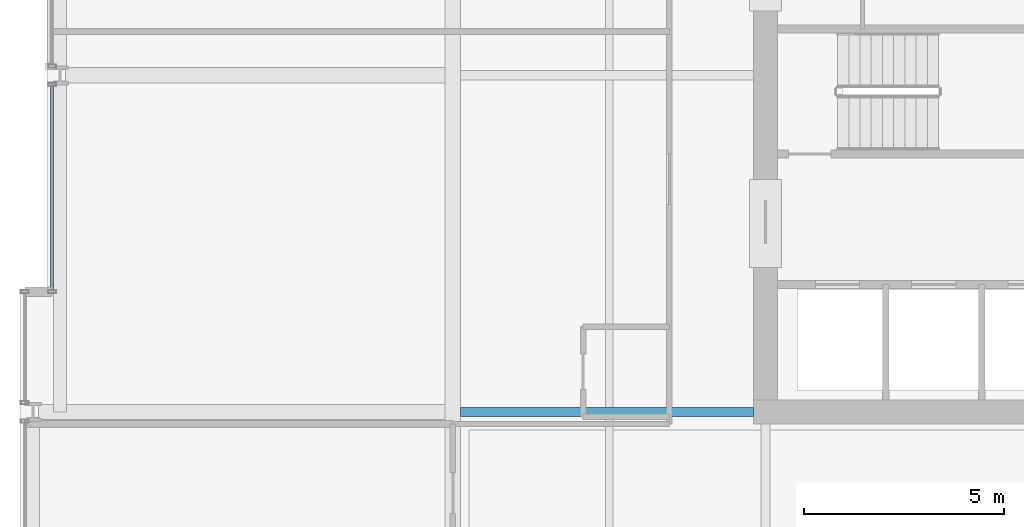
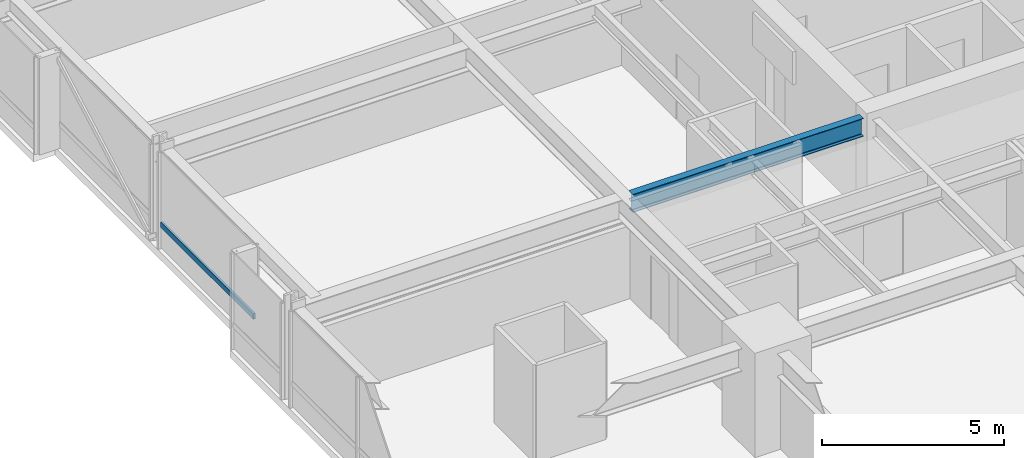
# One storey, part 8 of 38: 1 beam, 1 member, 1 element without a shape of its own.
"""IFC4 building model written with IfcOpenShell, lengths in metres."""

from ifc_helpers import new_model, si_unit, direction, frame, origin, origin_2d, place, context, subcontext, project, spatial, hollow_rectangle, i_section, extrude, material, layer, layer_set, material_profile, profile_set, type_object, element, aggregate, save


model = new_model("IFC4")

# Units and contexts
model_context = context("Model", 3, precision=1e-05, world=origin(), true_north=direction((0.0, 1.0)))
body_context = subcontext(model_context, "Body", "Model", "MODEL_VIEW")
ifc_project = project(units=[si_unit("LENGTHUNIT", "METRE"), si_unit("AREAUNIT", "SQUARE_METRE"), si_unit("VOLUMEUNIT", "CUBIC_METRE"), si_unit("PLANEANGLEUNIT", "RADIAN"), si_unit("MASSUNIT", "GRAM", prefix="KILO")], contexts=[model_context])

# Site, building, storey
site_placement = place(None, origin())
site = spatial("IfcSite", under=ifc_project, at=site_placement, CompositionType="ELEMENT")
building_placement = place(site_placement, origin())
building = spatial("IfcBuilding", under=site, at=building_placement, Name="Drelvath Grand Hotel", CompositionType="ELEMENT")
storey_placement = place(building_placement, frame((0.0, 0.0, 71.699951171875)))
storey = spatial("IfcBuildingStorey", under=building, at=storey_placement, Name="L17", CompositionType="ELEMENT", Elevation=71.699951171875)

# Curtain wall, member
ifc_material_1 = material(Name="Warm Bronze Anodised Aluminium Frame", Category="aluminium")
ifc_layer = layer(ifc_material_1, 0.199951171875)
ifc_layer_set = layer_set([ifc_layer], Name="Warm Bronze Anodised Aluminium Frame")
curtain_wall_type = type_object("IfcCurtainWallType", Name="Stick Curtain Wall CW-02 Warm Bronze Low-Rise", PredefinedType="NOTDEFINED", material=ifc_layer_set)
curtain_wall_placement = place(storey_placement, origin())
curtain_wall = element("IfcCurtainWall", 1, at=curtain_wall_placement, inside=storey, type_object=curtain_wall_type, Name="L17 CW-02 Curtain Wall CW02-L17-WM1", PredefinedType="NOTDEFINED")
ifc_material_profile_1 = material_profile(ifc_material_1, hollow_rectangle(XDim=0.074951171875, YDim=0.179931640625, WallThickness=0.0048828125, at=origin_2d()), Name="HSS180X75X5")
ifc_profile_set_1 = profile_set([ifc_material_profile_1], Name="Warm Bronze Anodised Aluminium Frame")
member_type = type_object("IfcMemberType", Name="Curtain Wall Horizontal Transom CW-02 HSS180X75X5", PredefinedType="USERDEFINED", material=ifc_profile_set_1)
member_placement = place(storey_placement, frame((-26.199951171875, 21.639892578125, 0.81005859375), z_axis=(0.0, 1.0, 0.0), x_axis=(-1.0, 0.0, 0.0)))
member = element("IfcMember", 2, at=member_placement, type_object=member_type, Name="CW02-L17-WM1 Sill Transom", ObjectType="TRANSOM", PredefinedType="USERDEFINED", context=body_context, shape_type="SweptSolid", body=[
    extrude(hollow_rectangle(XDim=0.074951171875, YDim=0.179931640625, WallThickness=0.0048828125, at=origin_2d()), origin(), (0.0, 0.0, 1.0), 5.091064453125),
])
aggregate(curtain_wall, [member])

# Beam
ifc_material_2 = material(Name="Steel ASTM A992 Gr 50", Category="steel")
ifc_material_profile_2 = material_profile(ifc_material_2, i_section(OverallWidth=0.228271484375, OverallDepth=0.607666015625, WebThickness=0.01123046875, FlangeThickness=0.017333984375, FilletRadius=0.02001953125, at=origin_2d()), Name="W24X76")
ifc_profile_set_2 = profile_set([ifc_material_profile_2], Name="Steel ASTM A992 Gr 50")
beam_type = type_object("IfcBeamType", Name="Primary Floor Girder W24X76", PredefinedType="BEAM", material=ifc_profile_set_2)
beam_placement = place(storey_placement, frame((-16.009765625, 18.60009765625, 2.936279296875), z_axis=(1.0, 0.0, 0.0), x_axis=(0.0, 1.0, 0.0)))
element("IfcBeam", 3, at=beam_placement, inside=storey, type_object=beam_type, Name="L17 West Core Tie D", PredefinedType="BEAM", context=body_context, shape_type="SweptSolid", body=[
    extrude(i_section(OverallWidth=0.228271484375, OverallDepth=0.607666015625, WebThickness=0.01123046875, FlangeThickness=0.017333984375, FilletRadius=0.02001953125, at=origin_2d()), origin(), (0.0, 0.0, 1.0), 7.309814453125),
])

save(model, "model.ifc")
